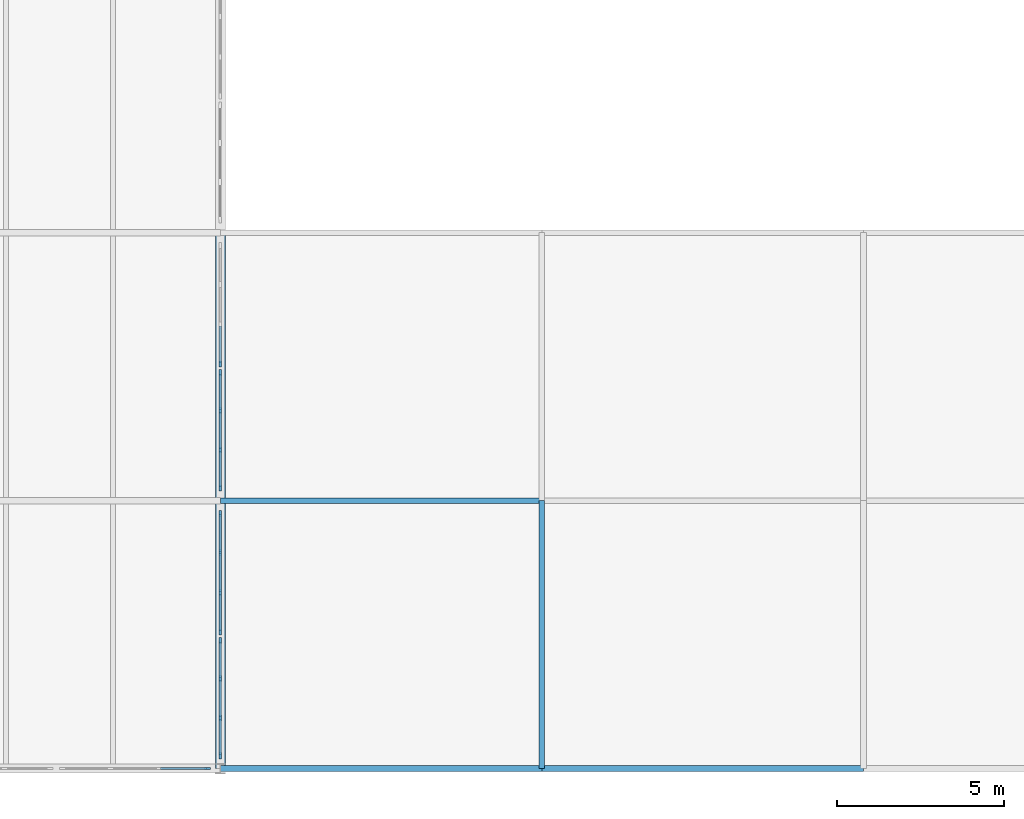
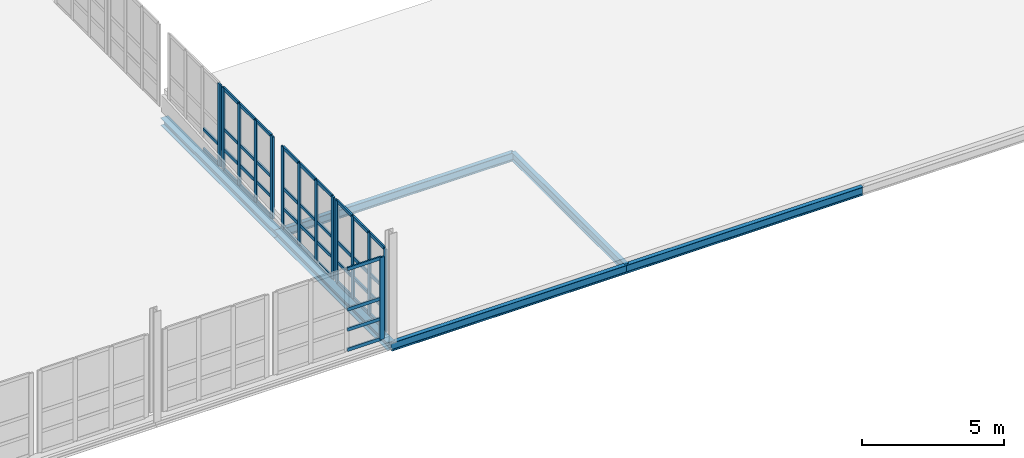
# One storey, part 28 of 73: 56 members, 6 beams, 5 elements without a shape of their own.
"""IFC4 building model written with IfcOpenShell, lengths in metres."""

from ifc_helpers import new_model, si_unit, direction, frame, origin, origin_2d, place, context, subcontext, project, spatial, rectangle, i_section, extrude, material, layer, layer_set, material_profile, profile_set, type_object, element, aggregate, save


model = new_model("IFC4")

# Units and contexts
model_context = context("Model", 3, precision=1e-05, world=origin(), true_north=direction((0.0, 1.0)))
body_context = subcontext(model_context, "Body", "Model", "MODEL_VIEW")
ifc_project = project(units=[si_unit("LENGTHUNIT", "METRE"), si_unit("AREAUNIT", "SQUARE_METRE"), si_unit("VOLUMEUNIT", "CUBIC_METRE"), si_unit("PLANEANGLEUNIT", "RADIAN"), si_unit("MASSUNIT", "GRAM", prefix="KILO")], contexts=[model_context])

# Site, building, storey
site_placement = place(None, origin())
site = spatial("IfcSite", under=ifc_project, at=site_placement, CompositionType="ELEMENT")
building_placement = place(site_placement, origin())
building = spatial("IfcBuilding", under=site, at=building_placement, Name="Alderhovde Museum", CompositionType="ELEMENT")
storey_placement = place(building_placement, frame((0.0, 0.0, 12.89990234375)))
storey = spatial("IfcBuildingStorey", under=building, at=storey_placement, Name="L03", CompositionType="ELEMENT", Elevation=12.89990234375)

# Beams
ifc_material_1 = material(Name="Steel S355J2", Category="steel")
ifc_material_profile_1 = material_profile(ifc_material_1, i_section(OverallWidth=0.300048828125, OverallDepth=0.330078125, WebThickness=0.009521484375, FlangeThickness=0.0166015625, FilletRadius=0.027099609375, at=origin_2d()), Name="HEA 340")
ifc_profile_set_1 = profile_set([ifc_material_profile_1], Name="Steel S355J2")
beam_type_1 = type_object("IfcBeamType", Name="BM-HEA340", PredefinedType="BEAM", material=ifc_profile_set_1)
for number, where, z_axis, x_axis, name in (
    (1, (115.199951171875, 32.0, -0.4248046875), (0.0, 1.0, 0.0), (-1.0, 0.0, 0.0), "L03 Grid Beam X=115.2 (32.0 TO 40.0)"),
    (2, (115.199951171875, 40.0, -0.4248046875), (0.0, 1.0, 0.0), (-1.0, 0.0, 0.0), "L03 Grid Beam X=115.2 (40.0 TO 48.0)"),
):
    element("IfcBeam", number, at=place(storey_placement, frame(where, z_axis=z_axis, x_axis=x_axis)), inside=storey, type_object=beam_type_1, Name=name, PredefinedType="BEAM", context=body_context, shape_type="SweptSolid", body=[
        extrude(i_section(OverallWidth=0.300048828125, OverallDepth=0.330078125, WebThickness=0.009521484375, FlangeThickness=0.0166015625, FilletRadius=0.027099609375, at=origin_2d()), origin(), (0.0, 0.0, 1.0), 8.0),
    ])
ifc_material_2 = material(Name="Steel S355J2", Category="steel")
ifc_material_profile_2 = material_profile(ifc_material_2, i_section(OverallWidth=0.169921875, OverallDepth=0.360107421875, WebThickness=0.008056640625, FlangeThickness=0.0126953125, FilletRadius=0.01806640625, at=origin_2d()), Name="IPE 360")
ifc_profile_set_2 = profile_set([ifc_material_profile_2], Name="Steel S355J2")
beam_type_2 = type_object("IfcBeamType", Name="BM-IPE360", PredefinedType="BEAM", material=ifc_profile_set_2)
beam_1_placement = place(storey_placement, frame((124.800048828125, 32.0, -0.43994140625), z_axis=(0.0, 1.0, 0.0), x_axis=(-1.0, 0.0, 0.0)))
element("IfcBeam", 3, at=beam_1_placement, inside=storey, type_object=beam_type_2, Name="L03 South Step Roof Tie X=124.8", PredefinedType="BEAM", context=body_context, shape_type="SweptSolid", body=[
    extrude(i_section(OverallWidth=0.169921875, OverallDepth=0.360107421875, WebThickness=0.008056640625, FlangeThickness=0.0126953125, FilletRadius=0.01806640625, at=origin_2d()), origin(), (0.0, 0.0, 1.0), 8.0),
])
beam_2_placement = place(storey_placement, frame((115.199951171875, 32.0, -0.43994140625), z_axis=(1.0, 0.0, 0.0), x_axis=(0.0, 1.0, 0.0)))
element("IfcBeam", 4, at=beam_2_placement, inside=storey, type_object=beam_type_2, Name="L03 South Step Roof Beam Y=32", PredefinedType="BEAM", context=body_context, shape_type="SweptSolid", body=[
    extrude(i_section(OverallWidth=0.169921875, OverallDepth=0.360107421875, WebThickness=0.008056640625, FlangeThickness=0.0126953125, FilletRadius=0.01806640625, at=origin_2d()), origin(), (0.0, 0.0, 1.0), 9.60009765625),
])
beam_3_placement = place(storey_placement, frame((124.800048828125, 32.0, -0.43994140625), z_axis=(1.0, 0.0, 0.0), x_axis=(0.0, 1.0, 0.0)))
element("IfcBeam", 5, at=beam_3_placement, inside=storey, type_object=beam_type_2, Name="L03 South Step Roof Beam Y=32", PredefinedType="BEAM", context=body_context, shape_type="SweptSolid", body=[
    extrude(i_section(OverallWidth=0.169921875, OverallDepth=0.360107421875, WebThickness=0.008056640625, FlangeThickness=0.0126953125, FilletRadius=0.01806640625, at=origin_2d()), origin(), (0.0, 0.0, 1.0), 9.599853515625),
])
beam_4_placement = place(storey_placement, frame((115.199951171875, 40.0, -0.43994140625), z_axis=(1.0, 0.0, 0.0), x_axis=(0.0, 1.0, 0.0)))
element("IfcBeam", 6, at=beam_4_placement, inside=storey, type_object=beam_type_2, Name="L03 South Step Roof Beam Y=40", PredefinedType="BEAM", context=body_context, shape_type="SweptSolid", body=[
    extrude(i_section(OverallWidth=0.169921875, OverallDepth=0.360107421875, WebThickness=0.008056640625, FlangeThickness=0.0126953125, FilletRadius=0.01806640625, at=origin_2d()), origin(), (0.0, 0.0, 1.0), 9.60009765625),
])

# Curtain wall, member
ifc_material_3 = material(Name="Triple-Glazed Bronze-Anodised Curtain Wall", Category="glass")
ifc_layer_1 = layer(ifc_material_3, 0.179931640625)
ifc_layer_set_1 = layer_set([ifc_layer_1], Name="Triple-Glazed Bronze-Anodised Curtain Wall")
curtain_wall_type_1 = type_object("IfcCurtainWallType", Name="CW-UNIT-440x354", PredefinedType="USERDEFINED", material=ifc_layer_set_1)
curtain_wall_1_placement = place(storey_placement, origin())
curtain_wall_1 = element("IfcCurtainWall", 7, at=curtain_wall_1_placement, inside=storey, type_object=curtain_wall_type_1, Name="L03 Unitised Curtain Wall 63", ObjectType="UNITISED CURTAIN WALL", PredefinedType="USERDEFINED")
ifc_material_4 = material(Name="Bronze-Anodised Aluminium EN AW-6063-T6", Category="aluminium")
ifc_material_profile_3 = material_profile(ifc_material_4, rectangle(XDim=0.06494140625, YDim=0.179931640625, at=origin_2d()), Name="MULLION 65x180")
ifc_profile_set_3 = profile_set([ifc_material_profile_3], Name="Bronze-Anodised Aluminium EN AW-6063-T6")
member_type_1 = type_object("IfcMemberType", Name="CWM-65x180", PredefinedType="MULLION", material=ifc_profile_set_3)
member_1_placement = place(storey_placement, frame((114.8173828125, 32.0, 0.0), z_axis=(0.0, 0.0, 1.0), x_axis=(0.0, 1.0, 0.0)))
member_1 = element("IfcMember", 8, at=member_1_placement, type_object=member_type_1, Name="CW16 mullion 4", PredefinedType="MULLION", context=body_context, shape_type="SweptSolid", body=[
    extrude(rectangle(XDim=0.06494140625, YDim=0.179931640625, at=origin_2d()), origin(), (0.0, 0.0, 1.0), 3.5400390625),
])

# Curtain wall, members
ifc_material_5 = material(Name="Triple-Glazed Bronze-Anodised Curtain Wall", Category="glass")
ifc_layer_2 = layer(ifc_material_5, 0.179931640625)
ifc_layer_set_2 = layer_set([ifc_layer_2], Name="Triple-Glazed Bronze-Anodised Curtain Wall")
curtain_wall_type_2 = type_object("IfcCurtainWallType", Name="CW-UNIT-350x354", PredefinedType="USERDEFINED", material=ifc_layer_set_2)
curtain_wall_2_placement = place(storey_placement, origin())
curtain_wall_2 = element("IfcCurtainWall", 9, at=curtain_wall_2_placement, inside=storey, type_object=curtain_wall_type_2, Name="L03 Unitised Curtain Wall 68", ObjectType="UNITISED CURTAIN WALL", PredefinedType="USERDEFINED")
member_2_placement = place(storey_placement, frame((115.199951171875, 32.382568359375, 0.0), z_axis=(0.0, 0.0, 1.0), x_axis=(-1.0, 0.0, 0.0)))
member_2 = element("IfcMember", 10, at=member_2_placement, type_object=member_type_1, Name="CW19 mullion 1", PredefinedType="MULLION", context=body_context, shape_type="SweptSolid", body=[
    extrude(rectangle(XDim=0.06494140625, YDim=0.179931640625, at=origin_2d()), origin(), (0.0, 0.0, 1.0), 3.5400390625),
])
member_3_placement = place(storey_placement, frame((115.199951171875, 33.5166015625, 0.0), z_axis=(0.0, 0.0, 1.0), x_axis=(-1.0, 0.0, 0.0)))
member_3 = element("IfcMember", 11, at=member_3_placement, type_object=member_type_1, Name="CW19 mullion 2", PredefinedType="MULLION", context=body_context, shape_type="SweptSolid", body=[
    extrude(rectangle(XDim=0.06494140625, YDim=0.179931640625, at=origin_2d()), origin(), (0.0, 0.0, 1.0), 3.5400390625),
])
member_4_placement = place(storey_placement, frame((115.199951171875, 34.683349609375, 0.0), z_axis=(0.0, 0.0, 1.0), x_axis=(-1.0, 0.0, 0.0)))
member_4 = element("IfcMember", 12, at=member_4_placement, type_object=member_type_1, Name="CW19 mullion 3", PredefinedType="MULLION", context=body_context, shape_type="SweptSolid", body=[
    extrude(rectangle(XDim=0.06494140625, YDim=0.179931640625, at=origin_2d()), origin(), (0.0, 0.0, 1.0), 3.5400390625),
])
member_5_placement = place(storey_placement, frame((115.199951171875, 35.8173828125, 0.0), z_axis=(0.0, 0.0, 1.0), x_axis=(-1.0, 0.0, 0.0)))
member_5 = element("IfcMember", 13, at=member_5_placement, type_object=member_type_1, Name="CW19 mullion 4", PredefinedType="MULLION", context=body_context, shape_type="SweptSolid", body=[
    extrude(rectangle(XDim=0.06494140625, YDim=0.179931640625, at=origin_2d()), origin(), (0.0, 0.0, 1.0), 3.5400390625),
])

ifc_material_6 = material(Name="Triple-Glazed Bronze-Anodised Curtain Wall", Category="glass")
ifc_layer_3 = layer(ifc_material_6, 0.179931640625)
ifc_layer_set_3 = layer_set([ifc_layer_3], Name="Triple-Glazed Bronze-Anodised Curtain Wall")
curtain_wall_type_3 = type_object("IfcCurtainWallType", Name="CW-UNIT-360x354", PredefinedType="USERDEFINED", material=ifc_layer_set_3)
curtain_wall_3_placement = place(storey_placement, origin())
curtain_wall_3 = element("IfcCurtainWall", 14, at=curtain_wall_3_placement, inside=storey, type_object=curtain_wall_type_3, Name="L03 Unitised Curtain Wall 69", ObjectType="UNITISED CURTAIN WALL", PredefinedType="USERDEFINED")
member_6_placement = place(storey_placement, frame((115.199951171875, 36.08251953125, 0.0), z_axis=(0.0, 0.0, 1.0), x_axis=(-1.0, 0.0, 0.0)))
member_6 = element("IfcMember", 15, at=member_6_placement, type_object=member_type_1, Name="CW20 mullion 1", PredefinedType="MULLION", context=body_context, shape_type="SweptSolid", body=[
    extrude(rectangle(XDim=0.06494140625, YDim=0.179931640625, at=origin_2d()), origin(), (0.0, 0.0, 1.0), 3.5400390625),
])
member_7_placement = place(storey_placement, frame((115.199951171875, 37.25, 0.0), z_axis=(0.0, 0.0, 1.0), x_axis=(-1.0, 0.0, 0.0)))
member_7 = element("IfcMember", 16, at=member_7_placement, type_object=member_type_1, Name="CW20 mullion 2", PredefinedType="MULLION", context=body_context, shape_type="SweptSolid", body=[
    extrude(rectangle(XDim=0.06494140625, YDim=0.179931640625, at=origin_2d()), origin(), (0.0, 0.0, 1.0), 3.5400390625),
])
member_8_placement = place(storey_placement, frame((115.199951171875, 38.449951171875, 0.0), z_axis=(0.0, 0.0, 1.0), x_axis=(-1.0, 0.0, 0.0)))
member_8 = element("IfcMember", 17, at=member_8_placement, type_object=member_type_1, Name="CW20 mullion 3", PredefinedType="MULLION", context=body_context, shape_type="SweptSolid", body=[
    extrude(rectangle(XDim=0.06494140625, YDim=0.179931640625, at=origin_2d()), origin(), (0.0, 0.0, 1.0), 3.5400390625),
])
member_9_placement = place(storey_placement, frame((115.199951171875, 39.617431640625, 0.0), z_axis=(0.0, 0.0, 1.0), x_axis=(-1.0, 0.0, 0.0)))
member_9 = element("IfcMember", 18, at=member_9_placement, type_object=member_type_1, Name="CW20 mullion 4", PredefinedType="MULLION", context=body_context, shape_type="SweptSolid", body=[
    extrude(rectangle(XDim=0.06494140625, YDim=0.179931640625, at=origin_2d()), origin(), (0.0, 0.0, 1.0), 3.5400390625),
])

curtain_wall_4_placement = place(storey_placement, origin())
curtain_wall_4 = element("IfcCurtainWall", 19, at=curtain_wall_4_placement, inside=storey, type_object=curtain_wall_type_2, Name="L03 Unitised Curtain Wall 70", ObjectType="UNITISED CURTAIN WALL", PredefinedType="USERDEFINED")
member_10_placement = place(storey_placement, frame((115.199951171875, 40.382568359375, 0.0), z_axis=(0.0, 0.0, 1.0), x_axis=(-1.0, 0.0, 0.0)))
member_10 = element("IfcMember", 20, at=member_10_placement, type_object=member_type_1, Name="CW19 mullion 1", PredefinedType="MULLION", context=body_context, shape_type="SweptSolid", body=[
    extrude(rectangle(XDim=0.06494140625, YDim=0.179931640625, at=origin_2d()), origin(), (0.0, 0.0, 1.0), 3.5400390625),
])
member_11_placement = place(storey_placement, frame((115.199951171875, 41.5166015625, 0.0), z_axis=(0.0, 0.0, 1.0), x_axis=(-1.0, 0.0, 0.0)))
member_11 = element("IfcMember", 21, at=member_11_placement, type_object=member_type_1, Name="CW19 mullion 2", PredefinedType="MULLION", context=body_context, shape_type="SweptSolid", body=[
    extrude(rectangle(XDim=0.06494140625, YDim=0.179931640625, at=origin_2d()), origin(), (0.0, 0.0, 1.0), 3.5400390625),
])
member_12_placement = place(storey_placement, frame((115.199951171875, 42.683349609375, 0.0), z_axis=(0.0, 0.0, 1.0), x_axis=(-1.0, 0.0, 0.0)))
member_12 = element("IfcMember", 22, at=member_12_placement, type_object=member_type_1, Name="CW19 mullion 3", PredefinedType="MULLION", context=body_context, shape_type="SweptSolid", body=[
    extrude(rectangle(XDim=0.06494140625, YDim=0.179931640625, at=origin_2d()), origin(), (0.0, 0.0, 1.0), 3.5400390625),
])
member_13_placement = place(storey_placement, frame((115.199951171875, 43.8173828125, 0.0), z_axis=(0.0, 0.0, 1.0), x_axis=(-1.0, 0.0, 0.0)))
member_13 = element("IfcMember", 23, at=member_13_placement, type_object=member_type_1, Name="CW19 mullion 4", PredefinedType="MULLION", context=body_context, shape_type="SweptSolid", body=[
    extrude(rectangle(XDim=0.06494140625, YDim=0.179931640625, at=origin_2d()), origin(), (0.0, 0.0, 1.0), 3.5400390625),
])

# Curtain wall, member
curtain_wall_5_placement = place(storey_placement, origin())
curtain_wall_5 = element("IfcCurtainWall", 24, at=curtain_wall_5_placement, inside=storey, type_object=curtain_wall_type_3, Name="L03 Unitised Curtain Wall 71", ObjectType="UNITISED CURTAIN WALL", PredefinedType="USERDEFINED")
member_14_placement = place(storey_placement, frame((115.199951171875, 44.08251953125, 0.0), z_axis=(0.0, 0.0, 1.0), x_axis=(-1.0, 0.0, 0.0)))
member_14 = element("IfcMember", 25, at=member_14_placement, type_object=member_type_1, Name="CW20 mullion 1", PredefinedType="MULLION", context=body_context, shape_type="SweptSolid", body=[
    extrude(rectangle(XDim=0.06494140625, YDim=0.179931640625, at=origin_2d()), origin(), (0.0, 0.0, 1.0), 3.5400390625),
])

# Member
ifc_material_7 = material(Name="Bronze-Anodised Aluminium EN AW-6063-T6", Category="aluminium")
ifc_material_profile_4 = material_profile(ifc_material_7, rectangle(XDim=0.06494140625, YDim=0.139892578125, at=origin_2d()), Name="TRANSOM 65x140")
ifc_profile_set_4 = profile_set([ifc_material_profile_4], Name="Bronze-Anodised Aluminium EN AW-6063-T6")
member_type_2 = type_object("IfcMemberType", Name="CWT-65x140", PredefinedType="USERDEFINED", material=ifc_profile_set_4)
member_15_placement = place(storey_placement, frame((113.415771484375, 32.0, 0.03271484375), z_axis=(1.0, 0.0, 0.0), x_axis=(0.0, 1.0, 0.0)))
member_15 = element("IfcMember", 26, at=member_15_placement, type_object=member_type_2, Name="CW16 transom 3.1", ObjectType="TRANSOM", PredefinedType="USERDEFINED", context=body_context, shape_type="SweptSolid", body=[
    extrude(rectangle(XDim=0.06494140625, YDim=0.139892578125, at=origin_2d()), origin(), (0.0, 0.0, 1.0), 1.369140625),
])

member_16_placement = place(storey_placement, frame((113.415771484375, 32.0, 0.900146484375), z_axis=(1.0, 0.0, 0.0), x_axis=(0.0, 1.0, 0.0)))
member_16 = element("IfcMember", 27, at=member_16_placement, type_object=member_type_2, Name="CW16 transom 3.2", ObjectType="TRANSOM", PredefinedType="USERDEFINED", context=body_context, shape_type="SweptSolid", body=[
    extrude(rectangle(XDim=0.06494140625, YDim=0.139892578125, at=origin_2d()), origin(), (0.0, 0.0, 1.0), 1.369140625),
])

member_17_placement = place(storey_placement, frame((113.415771484375, 32.0, 1.77001953125), z_axis=(1.0, 0.0, 0.0), x_axis=(0.0, 1.0, 0.0)))
member_17 = element("IfcMember", 28, at=member_17_placement, type_object=member_type_2, Name="CW16 transom 3.3", ObjectType="TRANSOM", PredefinedType="USERDEFINED", context=body_context, shape_type="SweptSolid", body=[
    extrude(rectangle(XDim=0.06494140625, YDim=0.139892578125, at=origin_2d()), origin(), (0.0, 0.0, 1.0), 1.369140625),
])

member_18_placement = place(storey_placement, frame((113.415771484375, 32.0, 3.507568359375), z_axis=(1.0, 0.0, 0.0), x_axis=(0.0, 1.0, 0.0)))
member_18 = element("IfcMember", 29, at=member_18_placement, type_object=member_type_2, Name="CW16 transom 3.4", ObjectType="TRANSOM", PredefinedType="USERDEFINED", context=body_context, shape_type="SweptSolid", body=[
    extrude(rectangle(XDim=0.06494140625, YDim=0.139892578125, at=origin_2d()), origin(), (0.0, 0.0, 1.0), 1.369140625),
])

aggregate(curtain_wall_1, [member_1, member_15, member_16, member_17, member_18])

member_19_placement = place(storey_placement, frame((115.199951171875, 32.4150390625, 0.03271484375), z_axis=(0.0, 1.0, 0.0), x_axis=(-1.0, 0.0, 0.0)))
member_19 = element("IfcMember", 30, at=member_19_placement, type_object=member_type_2, Name="CW19 transom 1.1", ObjectType="TRANSOM", PredefinedType="USERDEFINED", context=body_context, shape_type="SweptSolid", body=[
    extrude(rectangle(XDim=0.06494140625, YDim=0.139892578125, at=origin_2d()), origin(), (0.0, 0.0, 1.0), 1.069091796875),
])

member_20_placement = place(storey_placement, frame((115.199951171875, 32.4150390625, 0.900146484375), z_axis=(0.0, 1.0, 0.0), x_axis=(-1.0, 0.0, 0.0)))
member_20 = element("IfcMember", 31, at=member_20_placement, type_object=member_type_2, Name="CW19 transom 1.2", ObjectType="TRANSOM", PredefinedType="USERDEFINED", context=body_context, shape_type="SweptSolid", body=[
    extrude(rectangle(XDim=0.06494140625, YDim=0.139892578125, at=origin_2d()), origin(), (0.0, 0.0, 1.0), 1.069091796875),
])

member_21_placement = place(storey_placement, frame((115.199951171875, 32.4150390625, 1.77001953125), z_axis=(0.0, 1.0, 0.0), x_axis=(-1.0, 0.0, 0.0)))
member_21 = element("IfcMember", 32, at=member_21_placement, type_object=member_type_2, Name="CW19 transom 1.3", ObjectType="TRANSOM", PredefinedType="USERDEFINED", context=body_context, shape_type="SweptSolid", body=[
    extrude(rectangle(XDim=0.06494140625, YDim=0.139892578125, at=origin_2d()), origin(), (0.0, 0.0, 1.0), 1.069091796875),
])

member_22_placement = place(storey_placement, frame((115.199951171875, 32.4150390625, 3.507568359375), z_axis=(0.0, 1.0, 0.0), x_axis=(-1.0, 0.0, 0.0)))
member_22 = element("IfcMember", 33, at=member_22_placement, type_object=member_type_2, Name="CW19 transom 1.4", ObjectType="TRANSOM", PredefinedType="USERDEFINED", context=body_context, shape_type="SweptSolid", body=[
    extrude(rectangle(XDim=0.06494140625, YDim=0.139892578125, at=origin_2d()), origin(), (0.0, 0.0, 1.0), 1.069091796875),
])

member_23_placement = place(storey_placement, frame((115.199951171875, 33.549072265625, 0.03271484375), z_axis=(0.0, 1.0, 0.0), x_axis=(-1.0, 0.0, 0.0)))
member_23 = element("IfcMember", 34, at=member_23_placement, type_object=member_type_2, Name="CW19 transom 2.1", ObjectType="TRANSOM", PredefinedType="USERDEFINED", context=body_context, shape_type="SweptSolid", body=[
    extrude(rectangle(XDim=0.06494140625, YDim=0.139892578125, at=origin_2d()), origin(), (0.0, 0.0, 1.0), 1.101806640625),
])

member_24_placement = place(storey_placement, frame((115.199951171875, 33.549072265625, 0.900146484375), z_axis=(0.0, 1.0, 0.0), x_axis=(-1.0, 0.0, 0.0)))
member_24 = element("IfcMember", 35, at=member_24_placement, type_object=member_type_2, Name="CW19 transom 2.2", ObjectType="TRANSOM", PredefinedType="USERDEFINED", context=body_context, shape_type="SweptSolid", body=[
    extrude(rectangle(XDim=0.06494140625, YDim=0.139892578125, at=origin_2d()), origin(), (0.0, 0.0, 1.0), 1.101806640625),
])

member_25_placement = place(storey_placement, frame((115.199951171875, 33.549072265625, 1.77001953125), z_axis=(0.0, 1.0, 0.0), x_axis=(-1.0, 0.0, 0.0)))
member_25 = element("IfcMember", 36, at=member_25_placement, type_object=member_type_2, Name="CW19 transom 2.3", ObjectType="TRANSOM", PredefinedType="USERDEFINED", context=body_context, shape_type="SweptSolid", body=[
    extrude(rectangle(XDim=0.06494140625, YDim=0.139892578125, at=origin_2d()), origin(), (0.0, 0.0, 1.0), 1.101806640625),
])

member_26_placement = place(storey_placement, frame((115.199951171875, 33.549072265625, 3.507568359375), z_axis=(0.0, 1.0, 0.0), x_axis=(-1.0, 0.0, 0.0)))
member_26 = element("IfcMember", 37, at=member_26_placement, type_object=member_type_2, Name="CW19 transom 2.4", ObjectType="TRANSOM", PredefinedType="USERDEFINED", context=body_context, shape_type="SweptSolid", body=[
    extrude(rectangle(XDim=0.06494140625, YDim=0.139892578125, at=origin_2d()), origin(), (0.0, 0.0, 1.0), 1.101806640625),
])

member_27_placement = place(storey_placement, frame((115.199951171875, 34.7158203125, 0.03271484375), z_axis=(0.0, 1.0, 0.0), x_axis=(-1.0, 0.0, 0.0)))
member_27 = element("IfcMember", 38, at=member_27_placement, type_object=member_type_2, Name="CW19 transom 3.1", ObjectType="TRANSOM", PredefinedType="USERDEFINED", context=body_context, shape_type="SweptSolid", body=[
    extrude(rectangle(XDim=0.06494140625, YDim=0.139892578125, at=origin_2d()), origin(), (0.0, 0.0, 1.0), 1.069091796875),
])

member_28_placement = place(storey_placement, frame((115.199951171875, 34.7158203125, 0.900146484375), z_axis=(0.0, 1.0, 0.0), x_axis=(-1.0, 0.0, 0.0)))
member_28 = element("IfcMember", 39, at=member_28_placement, type_object=member_type_2, Name="CW19 transom 3.2", ObjectType="TRANSOM", PredefinedType="USERDEFINED", context=body_context, shape_type="SweptSolid", body=[
    extrude(rectangle(XDim=0.06494140625, YDim=0.139892578125, at=origin_2d()), origin(), (0.0, 0.0, 1.0), 1.069091796875),
])

member_29_placement = place(storey_placement, frame((115.199951171875, 34.7158203125, 1.77001953125), z_axis=(0.0, 1.0, 0.0), x_axis=(-1.0, 0.0, 0.0)))
member_29 = element("IfcMember", 40, at=member_29_placement, type_object=member_type_2, Name="CW19 transom 3.3", ObjectType="TRANSOM", PredefinedType="USERDEFINED", context=body_context, shape_type="SweptSolid", body=[
    extrude(rectangle(XDim=0.06494140625, YDim=0.139892578125, at=origin_2d()), origin(), (0.0, 0.0, 1.0), 1.069091796875),
])

member_30_placement = place(storey_placement, frame((115.199951171875, 34.7158203125, 3.507568359375), z_axis=(0.0, 1.0, 0.0), x_axis=(-1.0, 0.0, 0.0)))
member_30 = element("IfcMember", 41, at=member_30_placement, type_object=member_type_2, Name="CW19 transom 3.4", ObjectType="TRANSOM", PredefinedType="USERDEFINED", context=body_context, shape_type="SweptSolid", body=[
    extrude(rectangle(XDim=0.06494140625, YDim=0.139892578125, at=origin_2d()), origin(), (0.0, 0.0, 1.0), 1.069091796875),
])

aggregate(curtain_wall_2, [member_2, member_3, member_4, member_5, member_19, member_20, member_21, member_22, member_23, member_24, member_25, member_26, member_27, member_28, member_29, member_30])

member_31_placement = place(storey_placement, frame((115.199951171875, 36.114990234375, 0.03271484375), z_axis=(0.0, 1.0, 0.0), x_axis=(-1.0, 0.0, 0.0)))
member_31 = element("IfcMember", 42, at=member_31_placement, type_object=member_type_2, Name="CW20 transom 1.1", ObjectType="TRANSOM", PredefinedType="USERDEFINED", context=body_context, shape_type="SweptSolid", body=[
    extrude(rectangle(XDim=0.06494140625, YDim=0.139892578125, at=origin_2d()), origin(), (0.0, 0.0, 1.0), 1.1025390625),
])

member_32_placement = place(storey_placement, frame((115.199951171875, 36.114990234375, 0.900146484375), z_axis=(0.0, 1.0, 0.0), x_axis=(-1.0, 0.0, 0.0)))
member_32 = element("IfcMember", 43, at=member_32_placement, type_object=member_type_2, Name="CW20 transom 1.2", ObjectType="TRANSOM", PredefinedType="USERDEFINED", context=body_context, shape_type="SweptSolid", body=[
    extrude(rectangle(XDim=0.06494140625, YDim=0.139892578125, at=origin_2d()), origin(), (0.0, 0.0, 1.0), 1.1025390625),
])

member_33_placement = place(storey_placement, frame((115.199951171875, 36.114990234375, 1.77001953125), z_axis=(0.0, 1.0, 0.0), x_axis=(-1.0, 0.0, 0.0)))
member_33 = element("IfcMember", 44, at=member_33_placement, type_object=member_type_2, Name="CW20 transom 1.3", ObjectType="TRANSOM", PredefinedType="USERDEFINED", context=body_context, shape_type="SweptSolid", body=[
    extrude(rectangle(XDim=0.06494140625, YDim=0.139892578125, at=origin_2d()), origin(), (0.0, 0.0, 1.0), 1.1025390625),
])

member_34_placement = place(storey_placement, frame((115.199951171875, 36.114990234375, 3.507568359375), z_axis=(0.0, 1.0, 0.0), x_axis=(-1.0, 0.0, 0.0)))
member_34 = element("IfcMember", 45, at=member_34_placement, type_object=member_type_2, Name="CW20 transom 1.4", ObjectType="TRANSOM", PredefinedType="USERDEFINED", context=body_context, shape_type="SweptSolid", body=[
    extrude(rectangle(XDim=0.06494140625, YDim=0.139892578125, at=origin_2d()), origin(), (0.0, 0.0, 1.0), 1.1025390625),
])

member_35_placement = place(storey_placement, frame((115.199951171875, 37.282470703125, 0.03271484375), z_axis=(0.0, 1.0, 0.0), x_axis=(-1.0, 0.0, 0.0)))
member_35 = element("IfcMember", 46, at=member_35_placement, type_object=member_type_2, Name="CW20 transom 2.1", ObjectType="TRANSOM", PredefinedType="USERDEFINED", context=body_context, shape_type="SweptSolid", body=[
    extrude(rectangle(XDim=0.06494140625, YDim=0.139892578125, at=origin_2d()), origin(), (0.0, 0.0, 1.0), 1.135009765625),
])

member_36_placement = place(storey_placement, frame((115.199951171875, 37.282470703125, 0.900146484375), z_axis=(0.0, 1.0, 0.0), x_axis=(-1.0, 0.0, 0.0)))
member_36 = element("IfcMember", 47, at=member_36_placement, type_object=member_type_2, Name="CW20 transom 2.2", ObjectType="TRANSOM", PredefinedType="USERDEFINED", context=body_context, shape_type="SweptSolid", body=[
    extrude(rectangle(XDim=0.06494140625, YDim=0.139892578125, at=origin_2d()), origin(), (0.0, 0.0, 1.0), 1.135009765625),
])

member_37_placement = place(storey_placement, frame((115.199951171875, 37.282470703125, 1.77001953125), z_axis=(0.0, 1.0, 0.0), x_axis=(-1.0, 0.0, 0.0)))
member_37 = element("IfcMember", 48, at=member_37_placement, type_object=member_type_2, Name="CW20 transom 2.3", ObjectType="TRANSOM", PredefinedType="USERDEFINED", context=body_context, shape_type="SweptSolid", body=[
    extrude(rectangle(XDim=0.06494140625, YDim=0.139892578125, at=origin_2d()), origin(), (0.0, 0.0, 1.0), 1.135009765625),
])

member_38_placement = place(storey_placement, frame((115.199951171875, 37.282470703125, 3.507568359375), z_axis=(0.0, 1.0, 0.0), x_axis=(-1.0, 0.0, 0.0)))
member_38 = element("IfcMember", 49, at=member_38_placement, type_object=member_type_2, Name="CW20 transom 2.4", ObjectType="TRANSOM", PredefinedType="USERDEFINED", context=body_context, shape_type="SweptSolid", body=[
    extrude(rectangle(XDim=0.06494140625, YDim=0.139892578125, at=origin_2d()), origin(), (0.0, 0.0, 1.0), 1.135009765625),
])

member_39_placement = place(storey_placement, frame((115.199951171875, 38.482421875, 0.03271484375), z_axis=(0.0, 1.0, 0.0), x_axis=(-1.0, 0.0, 0.0)))
member_39 = element("IfcMember", 50, at=member_39_placement, type_object=member_type_2, Name="CW20 transom 3.1", ObjectType="TRANSOM", PredefinedType="USERDEFINED", context=body_context, shape_type="SweptSolid", body=[
    extrude(rectangle(XDim=0.06494140625, YDim=0.139892578125, at=origin_2d()), origin(), (0.0, 0.0, 1.0), 1.1025390625),
])

member_40_placement = place(storey_placement, frame((115.199951171875, 38.482421875, 0.900146484375), z_axis=(0.0, 1.0, 0.0), x_axis=(-1.0, 0.0, 0.0)))
member_40 = element("IfcMember", 51, at=member_40_placement, type_object=member_type_2, Name="CW20 transom 3.2", ObjectType="TRANSOM", PredefinedType="USERDEFINED", context=body_context, shape_type="SweptSolid", body=[
    extrude(rectangle(XDim=0.06494140625, YDim=0.139892578125, at=origin_2d()), origin(), (0.0, 0.0, 1.0), 1.1025390625),
])

member_41_placement = place(storey_placement, frame((115.199951171875, 38.482421875, 1.77001953125), z_axis=(0.0, 1.0, 0.0), x_axis=(-1.0, 0.0, 0.0)))
member_41 = element("IfcMember", 52, at=member_41_placement, type_object=member_type_2, Name="CW20 transom 3.3", ObjectType="TRANSOM", PredefinedType="USERDEFINED", context=body_context, shape_type="SweptSolid", body=[
    extrude(rectangle(XDim=0.06494140625, YDim=0.139892578125, at=origin_2d()), origin(), (0.0, 0.0, 1.0), 1.1025390625),
])

member_42_placement = place(storey_placement, frame((115.199951171875, 38.482421875, 3.507568359375), z_axis=(0.0, 1.0, 0.0), x_axis=(-1.0, 0.0, 0.0)))
member_42 = element("IfcMember", 53, at=member_42_placement, type_object=member_type_2, Name="CW20 transom 3.4", ObjectType="TRANSOM", PredefinedType="USERDEFINED", context=body_context, shape_type="SweptSolid", body=[
    extrude(rectangle(XDim=0.06494140625, YDim=0.139892578125, at=origin_2d()), origin(), (0.0, 0.0, 1.0), 1.1025390625),
])

aggregate(curtain_wall_3, [member_6, member_7, member_8, member_9, member_31, member_32, member_33, member_34, member_35, member_36, member_37, member_38, member_39, member_40, member_41, member_42])

member_43_placement = place(storey_placement, frame((115.199951171875, 40.4150390625, 0.03271484375), z_axis=(0.0, 1.0, 0.0), x_axis=(-1.0, 0.0, 0.0)))
member_43 = element("IfcMember", 54, at=member_43_placement, type_object=member_type_2, Name="CW19 transom 1.1", ObjectType="TRANSOM", PredefinedType="USERDEFINED", context=body_context, shape_type="SweptSolid", body=[
    extrude(rectangle(XDim=0.06494140625, YDim=0.139892578125, at=origin_2d()), origin(), (0.0, 0.0, 1.0), 1.069091796875),
])

member_44_placement = place(storey_placement, frame((115.199951171875, 40.4150390625, 0.900146484375), z_axis=(0.0, 1.0, 0.0), x_axis=(-1.0, 0.0, 0.0)))
member_44 = element("IfcMember", 55, at=member_44_placement, type_object=member_type_2, Name="CW19 transom 1.2", ObjectType="TRANSOM", PredefinedType="USERDEFINED", context=body_context, shape_type="SweptSolid", body=[
    extrude(rectangle(XDim=0.06494140625, YDim=0.139892578125, at=origin_2d()), origin(), (0.0, 0.0, 1.0), 1.069091796875),
])

member_45_placement = place(storey_placement, frame((115.199951171875, 40.4150390625, 1.77001953125), z_axis=(0.0, 1.0, 0.0), x_axis=(-1.0, 0.0, 0.0)))
member_45 = element("IfcMember", 56, at=member_45_placement, type_object=member_type_2, Name="CW19 transom 1.3", ObjectType="TRANSOM", PredefinedType="USERDEFINED", context=body_context, shape_type="SweptSolid", body=[
    extrude(rectangle(XDim=0.06494140625, YDim=0.139892578125, at=origin_2d()), origin(), (0.0, 0.0, 1.0), 1.069091796875),
])

member_46_placement = place(storey_placement, frame((115.199951171875, 40.4150390625, 3.507568359375), z_axis=(0.0, 1.0, 0.0), x_axis=(-1.0, 0.0, 0.0)))
member_46 = element("IfcMember", 57, at=member_46_placement, type_object=member_type_2, Name="CW19 transom 1.4", ObjectType="TRANSOM", PredefinedType="USERDEFINED", context=body_context, shape_type="SweptSolid", body=[
    extrude(rectangle(XDim=0.06494140625, YDim=0.139892578125, at=origin_2d()), origin(), (0.0, 0.0, 1.0), 1.069091796875),
])

member_47_placement = place(storey_placement, frame((115.199951171875, 41.549072265625, 0.03271484375), z_axis=(0.0, 1.0, 0.0), x_axis=(-1.0, 0.0, 0.0)))
member_47 = element("IfcMember", 58, at=member_47_placement, type_object=member_type_2, Name="CW19 transom 2.1", ObjectType="TRANSOM", PredefinedType="USERDEFINED", context=body_context, shape_type="SweptSolid", body=[
    extrude(rectangle(XDim=0.06494140625, YDim=0.139892578125, at=origin_2d()), origin(), (0.0, 0.0, 1.0), 1.101806640625),
])

member_48_placement = place(storey_placement, frame((115.199951171875, 41.549072265625, 0.900146484375), z_axis=(0.0, 1.0, 0.0), x_axis=(-1.0, 0.0, 0.0)))
member_48 = element("IfcMember", 59, at=member_48_placement, type_object=member_type_2, Name="CW19 transom 2.2", ObjectType="TRANSOM", PredefinedType="USERDEFINED", context=body_context, shape_type="SweptSolid", body=[
    extrude(rectangle(XDim=0.06494140625, YDim=0.139892578125, at=origin_2d()), origin(), (0.0, 0.0, 1.0), 1.101806640625),
])

member_49_placement = place(storey_placement, frame((115.199951171875, 41.549072265625, 1.77001953125), z_axis=(0.0, 1.0, 0.0), x_axis=(-1.0, 0.0, 0.0)))
member_49 = element("IfcMember", 60, at=member_49_placement, type_object=member_type_2, Name="CW19 transom 2.3", ObjectType="TRANSOM", PredefinedType="USERDEFINED", context=body_context, shape_type="SweptSolid", body=[
    extrude(rectangle(XDim=0.06494140625, YDim=0.139892578125, at=origin_2d()), origin(), (0.0, 0.0, 1.0), 1.101806640625),
])

member_50_placement = place(storey_placement, frame((115.199951171875, 41.549072265625, 3.507568359375), z_axis=(0.0, 1.0, 0.0), x_axis=(-1.0, 0.0, 0.0)))
member_50 = element("IfcMember", 61, at=member_50_placement, type_object=member_type_2, Name="CW19 transom 2.4", ObjectType="TRANSOM", PredefinedType="USERDEFINED", context=body_context, shape_type="SweptSolid", body=[
    extrude(rectangle(XDim=0.06494140625, YDim=0.139892578125, at=origin_2d()), origin(), (0.0, 0.0, 1.0), 1.101806640625),
])

member_51_placement = place(storey_placement, frame((115.199951171875, 42.7158203125, 0.03271484375), z_axis=(0.0, 1.0, 0.0), x_axis=(-1.0, 0.0, 0.0)))
member_51 = element("IfcMember", 62, at=member_51_placement, type_object=member_type_2, Name="CW19 transom 3.1", ObjectType="TRANSOM", PredefinedType="USERDEFINED", context=body_context, shape_type="SweptSolid", body=[
    extrude(rectangle(XDim=0.06494140625, YDim=0.139892578125, at=origin_2d()), origin(), (0.0, 0.0, 1.0), 1.069091796875),
])

member_52_placement = place(storey_placement, frame((115.199951171875, 42.7158203125, 0.900146484375), z_axis=(0.0, 1.0, 0.0), x_axis=(-1.0, 0.0, 0.0)))
member_52 = element("IfcMember", 63, at=member_52_placement, type_object=member_type_2, Name="CW19 transom 3.2", ObjectType="TRANSOM", PredefinedType="USERDEFINED", context=body_context, shape_type="SweptSolid", body=[
    extrude(rectangle(XDim=0.06494140625, YDim=0.139892578125, at=origin_2d()), origin(), (0.0, 0.0, 1.0), 1.069091796875),
])

member_53_placement = place(storey_placement, frame((115.199951171875, 42.7158203125, 1.77001953125), z_axis=(0.0, 1.0, 0.0), x_axis=(-1.0, 0.0, 0.0)))
member_53 = element("IfcMember", 64, at=member_53_placement, type_object=member_type_2, Name="CW19 transom 3.3", ObjectType="TRANSOM", PredefinedType="USERDEFINED", context=body_context, shape_type="SweptSolid", body=[
    extrude(rectangle(XDim=0.06494140625, YDim=0.139892578125, at=origin_2d()), origin(), (0.0, 0.0, 1.0), 1.069091796875),
])

member_54_placement = place(storey_placement, frame((115.199951171875, 42.7158203125, 3.507568359375), z_axis=(0.0, 1.0, 0.0), x_axis=(-1.0, 0.0, 0.0)))
member_54 = element("IfcMember", 65, at=member_54_placement, type_object=member_type_2, Name="CW19 transom 3.4", ObjectType="TRANSOM", PredefinedType="USERDEFINED", context=body_context, shape_type="SweptSolid", body=[
    extrude(rectangle(XDim=0.06494140625, YDim=0.139892578125, at=origin_2d()), origin(), (0.0, 0.0, 1.0), 1.069091796875),
])

aggregate(curtain_wall_4, [member_10, member_11, member_12, member_13, member_43, member_44, member_45, member_46, member_47, member_48, member_49, member_50, member_51, member_52, member_53, member_54])

member_55_placement = place(storey_placement, frame((115.199951171875, 44.114990234375, 0.03271484375), z_axis=(0.0, 1.0, 0.0), x_axis=(-1.0, 0.0, 0.0)))
member_55 = element("IfcMember", 66, at=member_55_placement, type_object=member_type_2, Name="CW20 transom 1.1", ObjectType="TRANSOM", PredefinedType="USERDEFINED", context=body_context, shape_type="SweptSolid", body=[
    extrude(rectangle(XDim=0.06494140625, YDim=0.139892578125, at=origin_2d()), origin(), (0.0, 0.0, 1.0), 1.1025390625),
])

member_56_placement = place(storey_placement, frame((115.199951171875, 44.114990234375, 0.900146484375), z_axis=(0.0, 1.0, 0.0), x_axis=(-1.0, 0.0, 0.0)))
member_56 = element("IfcMember", 67, at=member_56_placement, type_object=member_type_2, Name="CW20 transom 1.2", ObjectType="TRANSOM", PredefinedType="USERDEFINED", context=body_context, shape_type="SweptSolid", body=[
    extrude(rectangle(XDim=0.06494140625, YDim=0.139892578125, at=origin_2d()), origin(), (0.0, 0.0, 1.0), 1.1025390625),
])

aggregate(curtain_wall_5, [member_14, member_55, member_56])

save(model, "model.ifc")
